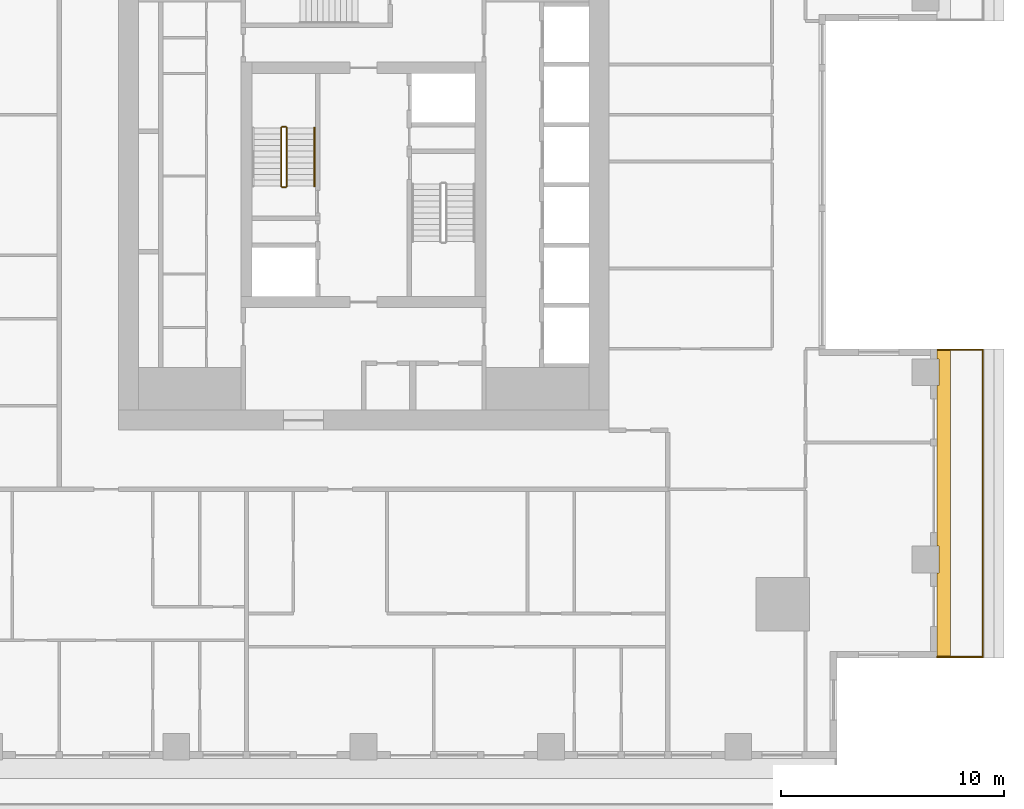
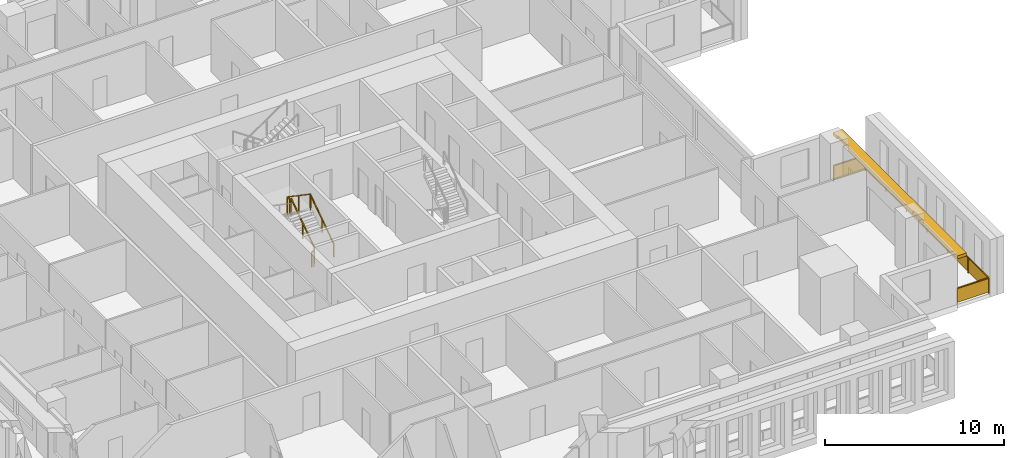
# One storey, part 13 of 16: 6 railings, 1 shading device.
"""IFC4 building model written with IfcOpenShell, lengths in metres."""

from ifc_helpers import new_model, si_unit, direction, frame, origin, origin_2d, place, context, subcontext, project, spatial, polyline, rectangle, outline, extrude, material, layer, layer_set, type_object, element, save


model = new_model("IFC4")

# Units and contexts
model_context = context("Model", 3, precision=1e-05, world=origin(), true_north=direction((0.0, 1.0)))
body_context = subcontext(model_context, "Body", "Model", "MODEL_VIEW")
ifc_project = project(units=[si_unit("LENGTHUNIT", "METRE"), si_unit("AREAUNIT", "SQUARE_METRE"), si_unit("VOLUMEUNIT", "CUBIC_METRE"), si_unit("PLANEANGLEUNIT", "RADIAN"), si_unit("MASSUNIT", "GRAM", prefix="KILO")], contexts=[model_context])

# Site, building, storey
site_placement = place(None, origin())
site = spatial("IfcSite", under=ifc_project, at=site_placement, CompositionType="ELEMENT")
building_placement = place(site_placement, origin())
building = spatial("IfcBuilding", under=site, at=building_placement, Name="Khepri Terraces", CompositionType="ELEMENT")
storey_placement = place(building_placement, frame((0.0, 0.0, 207.89990234375)))
storey = spatial("IfcBuildingStorey", under=building, at=storey_placement, Name="L49", CompositionType="ELEMENT", Elevation=207.89990234375)

# Railings
ifc_material_1 = material(Name="Stainless steel grade 316", Category="steel")
railing_type_1 = type_object("IfcRailingType", Name="GRD-BAL-1100", PredefinedType="GUARDRAIL", material=ifc_material_1)
railing_1_placement = place(storey_placement, frame((25.719970703125, -21.169921875, 0.0)))
element("IfcRailing", 1, at=railing_1_placement, inside=storey, type_object=railing_type_1, Name="Balcony guard L49 E", PredefinedType="GUARDRAIL", context=body_context, shape_type="SweptSolid", body=[
    extrude(rectangle(XDim=0.050048828125, YDim=0.06005859375, at=origin_2d()), frame((0.0, 0.0, 1.070068359375), z_axis=(1.0, 0.0, 0.0), x_axis=(0.0, 1.0, 0.0)), (0.0, 0.0, 1.0), 2.050048828125),
    extrude(rectangle(XDim=2.0, YDim=0.011962890625, at=origin_2d()), frame((1.02490234375, 0.0, 0.10009765625), z_axis=(0.0, 0.0, 1.0), x_axis=(1.0, 0.0, 0.0)), (0.0, 0.0, 1.0), 0.93994140625),
    extrude(rectangle(XDim=0.050048828125, YDim=0.06005859375, at=origin_2d()), frame((2.050048828125, 0.0, 1.070068359375), z_axis=(0.0, 1.0, 0.0), x_axis=(-1.0, 0.0, 0.0)), (0.0, 0.0, 1.0), 13.77001953125),
    extrude(rectangle(XDim=2.244873046875, YDim=0.011962890625, at=origin_2d()), frame((2.050048828125, 1.1474609375, 0.10009765625), z_axis=(0.0, 0.0, 1.0), x_axis=(0.0, 1.0, 0.0)), (0.0, 0.0, 1.0), 0.93994140625),
    extrude(rectangle(XDim=2.244873046875, YDim=0.011962890625, at=origin_2d()), frame((2.050048828125, 3.4423828125, 0.10009765625), z_axis=(0.0, 0.0, 1.0), x_axis=(0.0, 1.0, 0.0)), (0.0, 0.0, 1.0), 0.93994140625),
    extrude(rectangle(XDim=2.244873046875, YDim=0.011962890625, at=origin_2d()), frame((2.050048828125, 5.737548828125, 0.10009765625), z_axis=(0.0, 0.0, 1.0), x_axis=(0.0, 1.0, 0.0)), (0.0, 0.0, 1.0), 0.93994140625),
    extrude(rectangle(XDim=2.244873046875, YDim=0.011962890625, at=origin_2d()), frame((2.050048828125, 8.032470703125, 0.10009765625), z_axis=(0.0, 0.0, 1.0), x_axis=(0.0, 1.0, 0.0)), (0.0, 0.0, 1.0), 0.93994140625),
    extrude(rectangle(XDim=2.244873046875, YDim=0.011962890625, at=origin_2d()), frame((2.050048828125, 10.32763671875, 0.10009765625), z_axis=(0.0, 0.0, 1.0), x_axis=(0.0, 1.0, 0.0)), (0.0, 0.0, 1.0), 0.93994140625),
    extrude(rectangle(XDim=2.244873046875, YDim=0.011962890625, at=origin_2d()), frame((2.050048828125, 12.62255859375, 0.10009765625), z_axis=(0.0, 0.0, 1.0), x_axis=(0.0, 1.0, 0.0)), (0.0, 0.0, 1.0), 0.93994140625),
    extrude(rectangle(XDim=0.050048828125, YDim=0.06005859375, at=origin_2d()), frame((2.050048828125, 13.77001953125, 1.070068359375), z_axis=(-1.0, 0.0, 0.0), x_axis=(0.0, -1.0, 0.0)), (0.0, 0.0, 1.0), 2.050048828125),
    extrude(rectangle(XDim=2.0, YDim=0.011962890625, at=origin_2d()), frame((1.02490234375, 13.77001953125, 0.10009765625), z_axis=(0.0, 0.0, 1.0), x_axis=(-1.0, 0.0, 0.0)), (0.0, 0.0, 1.0), 0.93994140625),
    extrude(rectangle(XDim=0.050048828125, YDim=0.050048828125, at=origin_2d()), origin(), (0.0, 0.0, 1.0), 1.0400390625),
    extrude(rectangle(XDim=0.050048828125, YDim=0.050048828125, at=origin_2d()), frame((2.050048828125, 0.0, 0.0)), (0.0, 0.0, 1.0), 1.0400390625),
    extrude(rectangle(XDim=0.050048828125, YDim=0.050048828125, at=origin_2d()), frame((2.050048828125, 2.294921875, 0.0)), (0.0, 0.0, 1.0), 1.0400390625),
    extrude(rectangle(XDim=0.050048828125, YDim=0.050048828125, at=origin_2d()), frame((2.050048828125, 4.590087890625, 0.0)), (0.0, 0.0, 1.0), 1.0400390625),
    extrude(rectangle(XDim=0.050048828125, YDim=0.050048828125, at=origin_2d()), frame((2.050048828125, 6.885009765625, 0.0)), (0.0, 0.0, 1.0), 1.0400390625),
    extrude(rectangle(XDim=0.050048828125, YDim=0.050048828125, at=origin_2d()), frame((2.050048828125, 9.179931640625, 0.0)), (0.0, 0.0, 1.0), 1.0400390625),
    extrude(rectangle(XDim=0.050048828125, YDim=0.050048828125, at=origin_2d()), frame((2.050048828125, 11.47509765625, 0.0)), (0.0, 0.0, 1.0), 1.0400390625),
    extrude(rectangle(XDim=0.050048828125, YDim=0.050048828125, at=origin_2d()), frame((2.050048828125, 13.77001953125, 0.0)), (0.0, 0.0, 1.0), 1.0400390625),
    extrude(rectangle(XDim=0.050048828125, YDim=0.050048828125, at=origin_2d()), frame((0.0, 13.77001953125, 0.0)), (0.0, 0.0, 1.0), 1.0400390625),
])
ifc_material_2 = material(Name="Stainless steel 316", Category="steel")
railing_type_2 = type_object("IfcRailingType", Name="RL-CORE-GUARD", PredefinedType="GUARDRAIL", material=ifc_material_2)
railing_2_placement = place(storey_placement, frame((-3.449951171875, -0.050048828125, 0.177490234375)))
element("IfcRailing", 2, at=railing_2_placement, inside=storey, type_object=railing_type_2, Name="L49 ST-1 stair guard 1", PredefinedType="GUARDRAIL", context=body_context, shape_type="SweptSolid", body=[
    extrude(rectangle(XDim=0.050048828125, YDim=0.06005859375, at=origin_2d()), frame((0.0, 0.0, 1.070068359375), z_axis=(0.0, 0.826240473404, 0.563317565952), x_axis=(-1.0, 0.0, 0.0)), (0.0, 0.0, 1.0), 3.14697265625),
    extrude(rectangle(XDim=0.050048828125, YDim=0.050048828125, at=origin_2d()), origin(), (0.0, 0.0, 1.0), 1.0400390625),
    extrude(rectangle(XDim=0.050048828125, YDim=0.050048828125, at=origin_2d()), frame((0.0, 1.300048828125, 0.88623046875)), (0.0, 0.0, 1.0), 1.0400390625),
    extrude(rectangle(XDim=0.050048828125, YDim=0.050048828125, at=origin_2d()), frame((0.0, 2.60009765625, 1.772705078125)), (0.0, 0.0, 1.0), 1.0400390625),
])
railing_3_placement = place(storey_placement, frame((-3.5, 2.60009765625, 1.9501953125)))
element("IfcRailing", 3, at=railing_3_placement, inside=storey, type_object=railing_type_2, Name="L49 ST-1 stair guard 2", PredefinedType="GUARDRAIL", context=body_context, shape_type="SweptSolid", body=[
    extrude(rectangle(XDim=0.050048828125, YDim=0.06005859375, at=origin_2d()), frame((0.0, 0.0, 1.070068359375), z_axis=(-1.0, 0.0, 0.0), x_axis=(0.0, -1.0, 0.0)), (0.0, 0.0, 1.0), 0.14990234375),
    extrude(rectangle(XDim=0.050048828125, YDim=0.050048828125, at=origin_2d()), origin(), (0.0, 0.0, 1.0), 1.0400390625),
    extrude(rectangle(XDim=0.050048828125, YDim=0.050048828125, at=origin_2d()), frame((-0.14990234375, 0.0, 0.0)), (0.0, 0.0, 1.0), 1.0400390625),
])
railing_4_placement = place(storey_placement, frame((-3.699951171875, 2.550048828125, 2.12744140625)))
element("IfcRailing", 4, at=railing_4_placement, inside=storey, type_object=railing_type_2, Name="L49 ST-1 stair guard 3", PredefinedType="GUARDRAIL", context=body_context, shape_type="SweptSolid", body=[
    extrude(rectangle(XDim=0.050048828125, YDim=0.06005859375, at=origin_2d()), frame((0.0, 0.0, 1.070068359375), z_axis=(0.0, -0.826240473404, 0.563317565952), x_axis=(1.0, 0.0, 0.0)), (0.0, 0.0, 1.0), 3.14697265625),
    extrude(rectangle(XDim=0.050048828125, YDim=0.050048828125, at=origin_2d()), origin(), (0.0, 0.0, 1.0), 1.0400390625),
    extrude(rectangle(XDim=0.050048828125, YDim=0.050048828125, at=origin_2d()), frame((0.0, -1.300048828125, 0.88623046875)), (0.0, 0.0, 1.0), 1.0400390625),
    extrude(rectangle(XDim=0.050048828125, YDim=0.050048828125, at=origin_2d()), frame((0.0, -2.60009765625, 1.772705078125)), (0.0, 0.0, 1.0), 1.0400390625),
])
railing_5_placement = place(storey_placement, frame((-3.5, -0.10009765625, 0.0)))
element("IfcRailing", 5, at=railing_5_placement, inside=storey, type_object=railing_type_2, Name="L49 ST-1 stair guard 4", PredefinedType="GUARDRAIL", context=body_context, shape_type="SweptSolid", body=[
    extrude(rectangle(XDim=0.050048828125, YDim=0.06005859375, at=origin_2d()), frame((0.0, 0.0, 1.070068359375), z_axis=(-1.0, 0.0, 0.0), x_axis=(0.0, -1.0, 0.0)), (0.0, 0.0, 1.0), 0.14990234375),
    extrude(rectangle(XDim=0.050048828125, YDim=0.050048828125, at=origin_2d()), origin(), (0.0, 0.0, 1.0), 1.0400390625),
    extrude(rectangle(XDim=0.050048828125, YDim=0.050048828125, at=origin_2d()), frame((-0.14990234375, 0.0, 0.0)), (0.0, 0.0, 1.0), 1.0400390625),
])
railing_type_3 = type_object("IfcRailingType", Name="RL-CORE-HANDRAIL", PredefinedType="HANDRAIL", material=ifc_material_2)
railing_6_placement = place(storey_placement, frame((-2.199951171875, -0.050048828125, 0.177490234375)))
element("IfcRailing", 6, at=railing_6_placement, inside=storey, type_object=railing_type_3, Name="L49 ST-1 stair handrail 1", PredefinedType="HANDRAIL", context=body_context, shape_type="SweptSolid", body=[
    extrude(rectangle(XDim=0.050048828125, YDim=0.050048828125, at=origin_2d()), frame((0.0, 0.0, 0.875), z_axis=(0.0, 0.826240473404, 0.563317565952), x_axis=(-1.0, 0.0, 0.0)), (0.0, 0.0, 1.0), 3.14697265625),
    extrude(rectangle(XDim=0.050048828125, YDim=0.050048828125, at=origin_2d()), origin(), (0.0, 0.0, 1.0), 0.849853515625),
    extrude(rectangle(XDim=0.050048828125, YDim=0.050048828125, at=origin_2d()), frame((0.0, 1.300048828125, 0.88623046875)), (0.0, 0.0, 1.0), 0.849853515625),
    extrude(rectangle(XDim=0.050048828125, YDim=0.050048828125, at=origin_2d()), frame((0.0, 2.60009765625, 1.772705078125)), (0.0, 0.0, 1.0), 0.849853515625),
])

# Shading device
ifc_material_3 = material(Name="Precast concrete C50/60 warm stone", Category="masonry")
ifc_layer = layer(ifc_material_3, 0.199951171875, Name="Precast concrete C50/60 warm stone", Category="masonry")
ifc_layer_set = layer_set([ifc_layer], Name="Precast concrete C50/60 warm stone")
shading_device_type = type_object("IfcShadingDeviceType", Name="SSH-BAND-STONE-200-N", PredefinedType="USERDEFINED", material=ifc_layer_set)
shading_device_placement = place(storey_placement, frame((0.0, 0.0, 3.10009765625)))
element("IfcShadingDevice", 7, at=shading_device_placement, inside=storey, type_object=shading_device_type, Name="Sunshade band L49 E", ObjectType="SUNSHADE", PredefinedType="USERDEFINED", context=body_context, shape_type="SweptSolid", body=[
    extrude(outline(polyline([(25.719970703125, -17.39990234375), (25.719970703125, -21.219970703125), (26.320068359375, -21.219970703125), (26.320068359375, -7.35009765625), (25.719970703125, -7.35009765625), (25.719970703125, -7.800048828125), (25.800048828125, -7.800048828125), (25.800048828125, -9.0), (25.719970703125, -9.0), (25.719970703125, -16.199951171875), (25.800048828125, -16.199951171875), (25.800048828125, -17.39990234375), (25.719970703125, -17.39990234375)])), origin(), (0.0, 0.0, 1.0), 0.199951171875),
])

save(model, "model.ifc")
